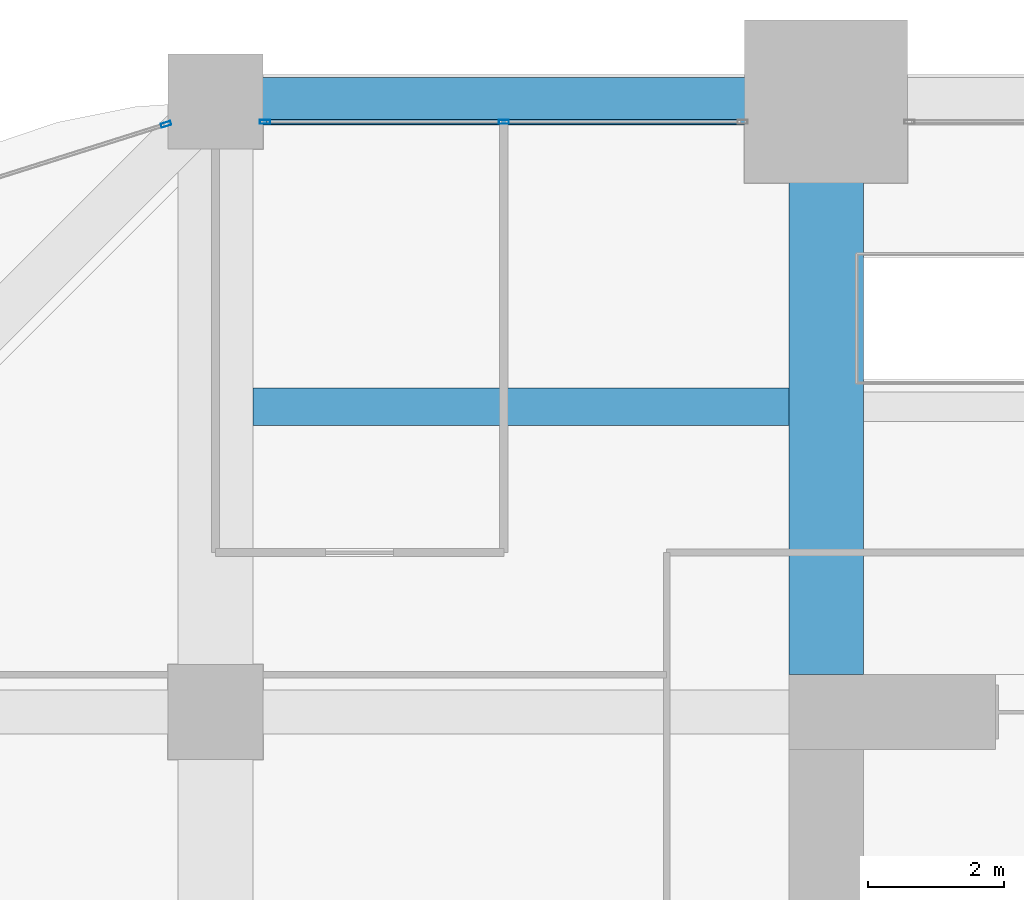
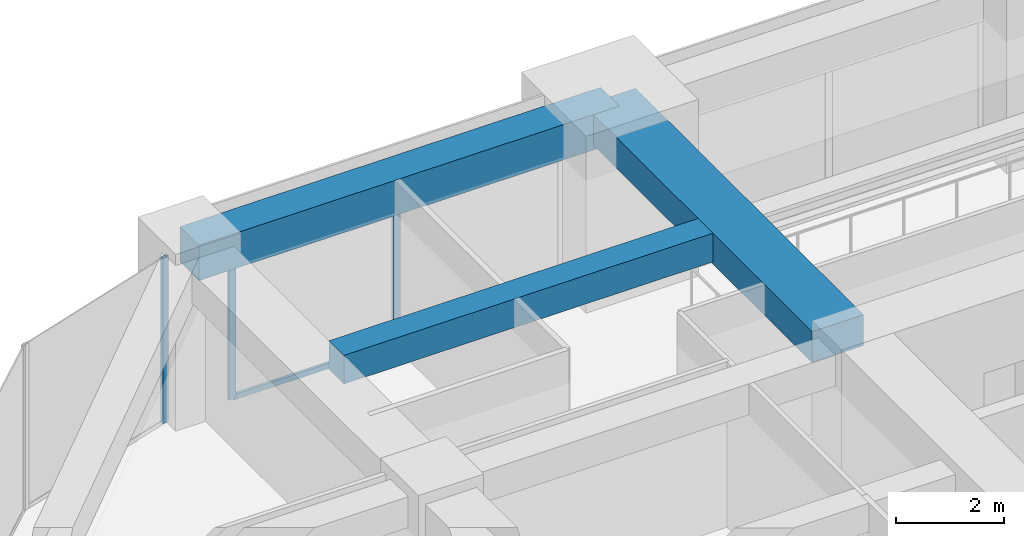
# One storey, part 23 of 32: 4 members, 3 beams, 2 elements without a shape of their own.
"""IFC4 building model written with IfcOpenShell, lengths in metres."""

from ifc_helpers import new_model, si_unit, direction, frame, origin, origin_2d, place, context, subcontext, project, spatial, rectangle, hollow_rectangle, extrude, material, material_profile, profile_set, type_object, element, aggregate, save


model = new_model("IFC4")

# Units and contexts
model_context = context("Model", 3, precision=1e-05, world=origin(), true_north=direction((0.0, 1.0)))
body_context = subcontext(model_context, "Body", "Model", "MODEL_VIEW")
ifc_project = project(units=[si_unit("LENGTHUNIT", "METRE"), si_unit("AREAUNIT", "SQUARE_METRE"), si_unit("VOLUMEUNIT", "CUBIC_METRE"), si_unit("PLANEANGLEUNIT", "RADIAN"), si_unit("MASSUNIT", "GRAM", prefix="KILO")], contexts=[model_context])

# Site, building, storey
site_placement = place(None, origin())
site = spatial("IfcSite", under=ifc_project, at=site_placement, CompositionType="ELEMENT")
building_placement = place(site_placement, origin())
building = spatial("IfcBuilding", under=site, at=building_placement, Name="Zorevar Civic Tower", CompositionType="ELEMENT")
storey_placement = place(building_placement, frame((0.0, 0.0, 198.199951171875)))
storey = spatial("IfcBuildingStorey", under=building, at=storey_placement, Name="L48", CompositionType="ELEMENT", Elevation=198.199951171875)

# Beams
ifc_material_1 = material(Name="Concrete C50/60", Category="concrete")
ifc_material_profile_1 = material_profile(ifc_material_1, rectangle(XDim=1.10009765625, YDim=0.699951171875, at=origin_2d()), Name="RC 1100x700")
ifc_profile_set_1 = profile_set([ifc_material_profile_1], Name="Concrete C50/60")
beam_type_1 = type_object("IfcBeamType", Name="Beam RC 1100x700", PredefinedType="BEAM", material=ifc_profile_set_1)
beam_1_placement = place(storey_placement, frame((18.0, 36.550048828125, 3.400146484375), z_axis=(0.0, 1.0, 0.0), x_axis=(-1.0, 0.0, 0.0)))
element("IfcBeam", 1, at=beam_1_placement, inside=storey, type_object=beam_type_1, Name="Girder L49", PredefinedType="BEAM", context=body_context, shape_type="SweptSolid", body=[
    extrude(rectangle(XDim=1.10009765625, YDim=0.699951171875, at=origin_2d()), origin(), (0.0, 0.0, 1.0), 8.449951171875),
])
ifc_material_2 = material(Name="Concrete C50/60", Category="concrete")
ifc_material_profile_2 = material_profile(ifc_material_2, rectangle(XDim=0.550048828125, YDim=0.64990234375, at=origin_2d()), Name="RC 550x650")
ifc_profile_set_2 = profile_set([ifc_material_profile_2], Name="Concrete C50/60")
beam_type_2 = type_object("IfcBeamType", Name="Beam RC 550x650", PredefinedType="BEAM", material=ifc_profile_set_2)
beam_2_placement = place(storey_placement, frame((9.550048828125, 40.5, 3.425048828125), z_axis=(1.0, 0.0, 0.0), x_axis=(0.0, 1.0, 0.0)))
element("IfcBeam", 2, at=beam_2_placement, inside=storey, type_object=beam_type_2, Name="Secondary beam L49", PredefinedType="BEAM", context=body_context, shape_type="SweptSolid", body=[
    extrude(rectangle(XDim=0.550048828125, YDim=0.64990234375, at=origin_2d()), origin(), (0.0, 0.0, 1.0), 7.89990234375),
])

# Curtain wall, members
ifc_material_3 = material(Name="Dark grey solar-control glass in black aluminium frame", Category="aluminium")
curtain_wall_type = type_object("IfcCurtainWallType", Name="Curtain wall CW4 high zone", PredefinedType="NOTDEFINED", material=ifc_material_3)
curtain_wall_1_placement = place(storey_placement, origin())
curtain_wall_1 = element("IfcCurtainWall", 3, at=curtain_wall_1_placement, inside=storey, type_object=curtain_wall_type, Name="CW4 L48", PredefinedType="NOTDEFINED")
ifc_material_4 = material(Name="Aluminium, black anodised", Category="aluminium")
ifc_material_profile_3 = material_profile(ifc_material_4, hollow_rectangle(XDim=0.06005859375, YDim=0.14990234375, WallThickness=0.00390625, at=origin_2d()), Name="AL 150x60x4")
ifc_profile_set_3 = profile_set([ifc_material_profile_3], Name="Aluminium, black anodised")
member_type_1 = type_object("IfcMemberType", Name="CW4 mullion AL 150x60x4", PredefinedType="MULLION", material=ifc_profile_set_3)
member_1_placement = place(storey_placement, frame((9.72998046875, 44.699951171875, 0.0), z_axis=(0.0, 0.0, 1.0), x_axis=(0.0, 1.0, 0.0)))
member_1 = element("IfcMember", 4, at=member_1_placement, type_object=member_type_1, Name="CW4 mullion 1", PredefinedType="MULLION", context=body_context, shape_type="SweptSolid", body=[
    extrude(hollow_rectangle(XDim=0.06005859375, YDim=0.14990234375, WallThickness=0.00390625, at=origin_2d()), origin(), (0.0, 0.0, 1.0), 2.949951171875),
])
member_2_placement = place(storey_placement, frame((13.25, 44.699951171875, 0.06005859375), z_axis=(0.0, 0.0, 1.0), x_axis=(0.0, 1.0, 0.0)))
member_2 = element("IfcMember", 5, at=member_2_placement, type_object=member_type_1, Name="CW4 mullion 2", PredefinedType="MULLION", context=body_context, shape_type="SweptSolid", body=[
    extrude(hollow_rectangle(XDim=0.06005859375, YDim=0.14990234375, WallThickness=0.00390625, at=origin_2d()), origin(), (0.0, 0.0, 1.0), 2.889892578125),
])

# Curtain wall, member
curtain_wall_2_placement = place(storey_placement, origin())
curtain_wall_2 = element("IfcCurtainWall", 6, at=curtain_wall_2_placement, inside=storey, type_object=curtain_wall_type, Name="CW4 L48", PredefinedType="NOTDEFINED")
member_3_placement = place(storey_placement, frame((8.271484375, 44.66259765625, 0.0), z_axis=(0.0, 0.0, 1.0), x_axis=(0.301108296077, -0.953589950678, 0.0)))
member_3 = element("IfcMember", 7, at=member_3_placement, type_object=member_type_1, Name="CW4 mullion 1", PredefinedType="MULLION", context=body_context, shape_type="SweptSolid", body=[
    extrude(hollow_rectangle(XDim=0.06005859375, YDim=0.14990234375, WallThickness=0.00390625, at=origin_2d()), origin(), (0.0, 0.0, 1.0), 3.75),
])
aggregate(curtain_wall_2, [member_3])

# Member
ifc_material_5 = material(Name="Aluminium, black anodised", Category="aluminium")
ifc_material_profile_4 = material_profile(ifc_material_5, hollow_rectangle(XDim=0.06005859375, YDim=0.1201171875, WallThickness=0.0029296875, at=origin_2d()), Name="AL 120x60x3")
ifc_profile_set_4 = profile_set([ifc_material_profile_4], Name="Aluminium, black anodised")
member_type_2 = type_object("IfcMemberType", Name="CW4 transom AL 120x60x3", PredefinedType="USERDEFINED", material=ifc_profile_set_4)
member_4_placement = place(storey_placement, frame((9.760009765625, 44.699951171875, 0.030029296875), z_axis=(1.0, 0.0, 0.0), x_axis=(0.0, 1.0, 0.0)))
member_4 = element("IfcMember", 8, at=member_4_placement, type_object=member_type_2, Name="CW4 sill transom", ObjectType="TRANSOM", PredefinedType="USERDEFINED", context=body_context, shape_type="SweptSolid", body=[
    extrude(hollow_rectangle(XDim=0.06005859375, YDim=0.1201171875, WallThickness=0.0029296875, at=origin_2d()), origin(), (0.0, 0.0, 1.0), 6.97998046875),
])

aggregate(curtain_wall_1, [member_1, member_2, member_4])

# Beam
ifc_material_6 = material(Name="Concrete C50/60", Category="concrete")
ifc_material_profile_5 = material_profile(ifc_material_6, rectangle(XDim=0.699951171875, YDim=0.800048828125, at=origin_2d()), Name="RC 700x800")
ifc_profile_set_5 = profile_set([ifc_material_profile_5], Name="Concrete C50/60")
beam_type_3 = type_object("IfcBeamType", Name="Edge beam RC 700x800", PredefinedType="SPANDREL", material=ifc_profile_set_5)
beam_3_placement = place(storey_placement, frame((9.0, 45.0, 3.35009765625), z_axis=(1.0, 0.0, 0.0), x_axis=(0.0, 1.0, 0.0)))
element("IfcBeam", 9, at=beam_3_placement, inside=storey, type_object=beam_type_3, Name="Edge beam L49", PredefinedType="SPANDREL", context=body_context, shape_type="SweptSolid", body=[
    extrude(rectangle(XDim=0.699951171875, YDim=0.800048828125, at=origin_2d()), origin(), (0.0, 0.0, 1.0), 9.0),
])

save(model, "model.ifc")
